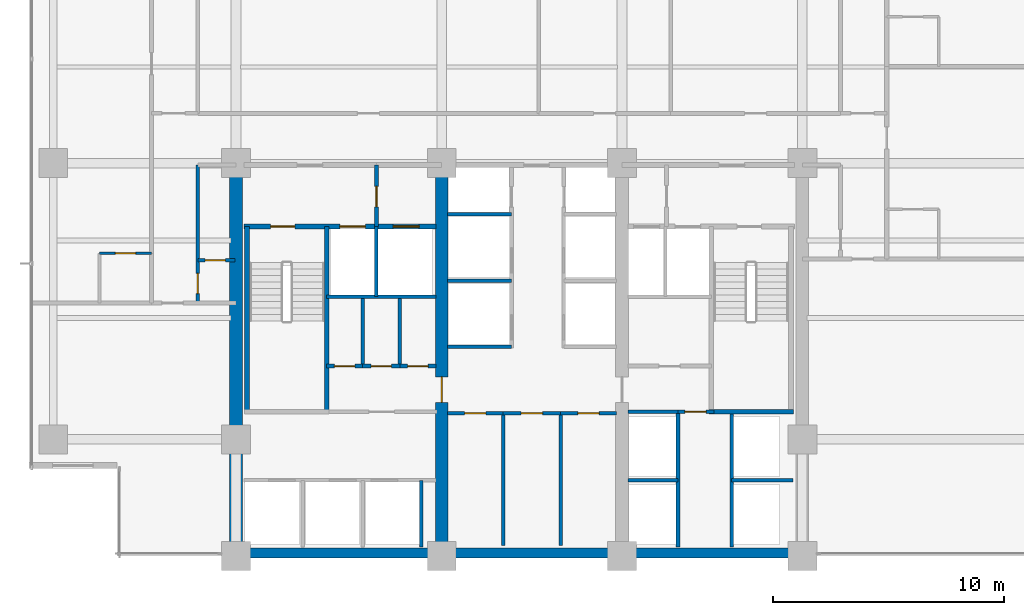
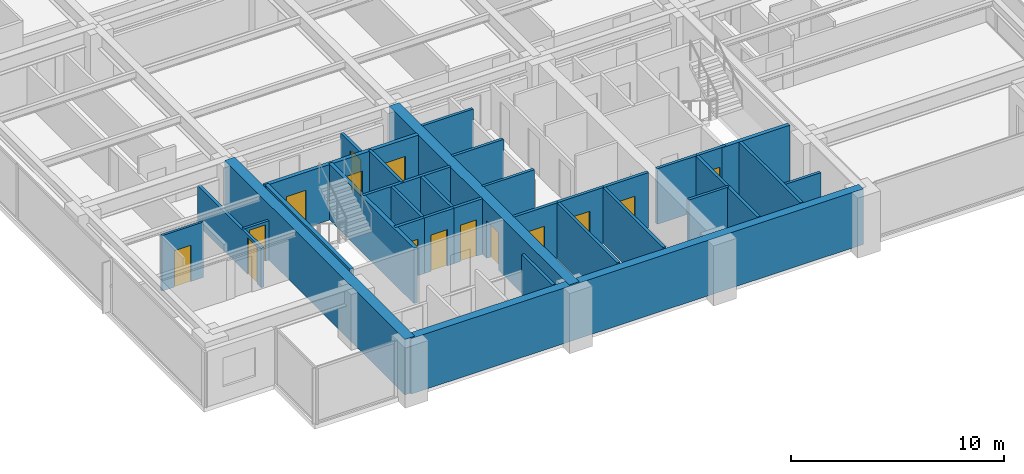
# One storey, part 8 of 16: 33 walls, 15 doors, 15 openings.
"""IFC4 building model written with IfcOpenShell, lengths in metres."""

from ifc_helpers import new_model, si_unit, direction, frame, frame_2d, origin, place, context, subcontext, project, spatial, rectangle, extrude, material, layer, layer_set, type_object, element, fill, save


model = new_model("IFC4")

# Units and contexts
model_context = context("Model", 3, precision=1e-05, world=origin(), true_north=direction((0.0, 1.0)))
body_context = subcontext(model_context, "Body", "Model", "MODEL_VIEW")
ifc_project = project(units=[si_unit("LENGTHUNIT", "METRE"), si_unit("AREAUNIT", "SQUARE_METRE"), si_unit("VOLUMEUNIT", "CUBIC_METRE"), si_unit("PLANEANGLEUNIT", "RADIAN"), si_unit("MASSUNIT", "GRAM", prefix="KILO")], contexts=[model_context])

# Site, building, storey
site_placement = place(None, origin())
site = spatial("IfcSite", under=ifc_project, at=site_placement, CompositionType="ELEMENT")
building_placement = place(site_placement, origin())
building = spatial("IfcBuilding", under=site, at=building_placement, Name="Qalmaran Belvedere Hotel", CompositionType="ELEMENT")
storey_placement = place(building_placement, frame((0.0, 0.0, 126.699951171875)))
storey = spatial("IfcBuildingStorey", under=building, at=storey_placement, Name="L32", CompositionType="ELEMENT", Elevation=126.699951171875)

# Wall
ifc_material_1 = material(Name="Concrete C60/75", Category="concrete")
ifc_layer_1 = layer(ifc_material_1, 0.550048828125, Name="Concrete C60/75")
ifc_layer_set_1 = layer_set([ifc_layer_1], Name="Concrete C60/75")
wall_type_1 = type_object("IfcWallType", Name="WL-CORE-550-C60", PredefinedType="SHEAR", material=ifc_layer_set_1)
wall_1_placement = place(storey_placement, frame((20.300048828125, 3.5, 0.0), z_axis=(0.0, 0.0, 1.0), x_axis=(0.0, 1.0, 0.0)))
element("IfcWall", 1, at=wall_1_placement, inside=storey, type_object=wall_type_1, Name="L32 West Core Shear Wall", PredefinedType="SHEAR", context=body_context, shape_type="SweptSolid", body=[
    extrude(rectangle(XDim=16.89990234375, YDim=0.550048828125, at=frame_2d((8.449951171875, 0.0))), origin(), (0.0, 0.0, 1.0), 3.179931640625),
])

# Wall, opening, door
wall_2_placement = place(storey_placement, frame((29.199951171875, 3.5, 0.0), z_axis=(0.0, 0.0, 1.0), x_axis=(0.0, 1.0, 0.0)))
wall_2 = element("IfcWall", 2, at=wall_2_placement, inside=storey, type_object=wall_type_1, Name="L32 Core West Spine Shear Wall", PredefinedType="SHEAR", context=body_context, shape_type="SweptSolid", body=[
    extrude(rectangle(XDim=16.89990234375, YDim=0.550048828125, at=frame_2d((8.449951171875, 0.0))), origin(), (0.0, 0.0, 1.0), 3.179931640625),
])
opening_1_placement = place(wall_2_placement, frame((7.75, 0.0, 0.0), z_axis=(0.0, 0.0, 1.0), x_axis=(-1.0, 0.0, 0.0)))
opening_1 = element("IfcOpeningElement", 3, at=opening_1_placement, cuts=wall_2, Name="Opening FD90", PredefinedType="OPENING", context=body_context, shape_type="SweptSolid", body=[
    extrude(rectangle(XDim=1.10009765625, YDim=2.14990234375, at=frame_2d((0.550048828125, 1.074951171875))), frame((0.0, 0.28515625, 0.0), z_axis=(0.0, -1.0, 0.0), x_axis=(1.0, 0.0, 0.0)), (0.0, 0.0, 1.0), 0.570068359375),
])
ifc_material_2 = material(Name="Steel S355JR", Category="steel")
door_type_1 = type_object("IfcDoorType", Name="DR-FD90-1100X2150", OperationType="NOTDEFINED", PredefinedType="DOOR", material=ifc_material_2)
door_1_placement = place(opening_1_placement, origin())
door_1 = element("IfcDoor", 4, at=door_1_placement, inside=storey, type_object=door_type_1, Name="L32 Core West Cross-Lobby Door", OperationType="SINGLE_SWING_LEFT", OverallHeight=2.14990234375, OverallWidth=1.10009765625, PredefinedType="DOOR", context=body_context, shape_type="SweptSolid", body=[
    extrude(rectangle(XDim=1.10009765625, YDim=2.14990234375, at=frame_2d((0.550048828125, 1.074951171875))), frame((0.0, 0.02490234375, 0.0), z_axis=(0.0, -1.0, 0.0), x_axis=(1.0, 0.0, 0.0)), (0.0, 0.0, 1.0), 0.050048828125),
])
fill(opening_1, door_1)

# Wall
ifc_material_3 = material(Name="Concrete C50/60", Category="concrete")
ifc_layer_2 = layer(ifc_material_3, 0.43994140625, Name="Concrete C50/60")
ifc_layer_set_2 = layer_set([ifc_layer_2], Name="Concrete C50/60")
wall_type_2 = type_object("IfcWallType", Name="WL-CORES-440-EXT", PredefinedType="SHEAR", material=ifc_layer_set_2)
wall_3_placement = place(storey_placement, frame((20.300048828125, 3.6298828125, 0.0), z_axis=(0.0, 0.0, 1.0), x_axis=(1.0, 0.0, 0.0)))
element("IfcWall", 5, at=wall_3_placement, inside=storey, type_object=wall_type_2, Name="L32 South Core Shear Wall", PredefinedType="SHEAR", context=body_context, shape_type="SweptSolid", body=[
    extrude(rectangle(XDim=24.5, YDim=0.43994140625, at=frame_2d((12.25, 0.0))), origin(), (0.0, 0.0, 1.0), 3.179931640625),
])

# Wall, opening, door
ifc_material_4 = material(Name="Moisture-Resistant Gypsum")
ifc_layer_3 = layer(ifc_material_4, 0.1201171875, Name="Moisture-Resistant Gypsum")
ifc_layer_set_3 = layer_set([ifc_layer_3], Name="Moisture-Resistant Gypsum")
wall_type_3 = type_object("IfcWallType", Name="WL-INT-120-BATH", PredefinedType="PARTITIONING", material=ifc_layer_set_3)
wall_4_placement = place(storey_placement, frame((14.39990234375, 16.60009765625, 0.0), z_axis=(0.0, 0.0, 1.0), x_axis=(1.0, 0.0, 0.0)))
wall_4 = element("IfcWall", 6, at=wall_4_placement, inside=storey, type_object=wall_type_3, Name="L32 Partition WL-L32-WBN00", PredefinedType="PARTITIONING", context=body_context, shape_type="SweptSolid", body=[
    extrude(rectangle(XDim=2.25, YDim=0.1201171875, at=frame_2d((1.125, 0.0))), origin(), (0.0, 0.0, 1.0), 3.179931640625),
])
opening_2_placement = place(wall_4_placement, frame((1.56494140625, 0.0, 0.0), z_axis=(0.0, 0.0, 1.0), x_axis=(-1.0, 0.0, 0.0)))
opening_2 = element("IfcOpeningElement", 7, at=opening_2_placement, cuts=wall_4, Name="Opening D-BATH", PredefinedType="OPENING", context=body_context, shape_type="SweptSolid", body=[
    extrude(rectangle(XDim=0.8798828125, YDim=2.080078125, at=frame_2d((0.43994140625, 1.0400390625))), frame((0.0, 0.070068359375, 0.0), z_axis=(0.0, -1.0, 0.0), x_axis=(1.0, 0.0, 0.0)), (0.0, 0.0, 1.0), 0.14013671875),
])
ifc_material_5 = material(Name="Engineered Oak Veneer")
door_type_2 = type_object("IfcDoorType", Name="DR-INT-BATH-880X2080", OperationType="NOTDEFINED", PredefinedType="DOOR", material=ifc_material_5)
door_2_placement = place(opening_2_placement, origin())
door_2 = element("IfcDoor", 8, at=door_2_placement, inside=storey, type_object=door_type_2, Name="L32 W Ensuite Door 01", OperationType="SINGLE_SWING_RIGHT", OverallHeight=2.080078125, OverallWidth=0.8798828125, PredefinedType="DOOR", context=body_context, shape_type="SweptSolid", body=[
    extrude(rectangle(XDim=0.8798828125, YDim=2.080078125, at=frame_2d((0.43994140625, 1.0400390625))), frame((0.0, 0.02490234375, 0.0), z_axis=(0.0, -1.0, 0.0), x_axis=(1.0, 0.0, 0.0)), (0.0, 0.0, 1.0), 0.050048828125),
])
fill(opening_2, door_2)

ifc_material_6 = material(Name="Gypsum Stud Partition")
ifc_layer_4 = layer(ifc_material_6, 0.139892578125, Name="Gypsum Stud Partition")
ifc_layer_set_4 = layer_set([ifc_layer_4], Name="Gypsum Stud Partition")
wall_type_4 = type_object("IfcWallType", Name="WL-INT-140-NR", PredefinedType="PARTITIONING", material=ifc_layer_set_4)
wall_5_placement = place(storey_placement, frame((18.64990234375, 16.300048828125, 0.0), z_axis=(0.0, 0.0, 1.0), x_axis=(1.0, 0.0, 0.0)))
wall_5 = element("IfcWall", 9, at=wall_5_placement, inside=storey, type_object=wall_type_4, Name="L32 Partition WL-L32-WCLSUB", PredefinedType="PARTITIONING", context=body_context, shape_type="SweptSolid", body=[
    extrude(rectangle(XDim=1.60009765625, YDim=0.139892578125, at=frame_2d((0.800048828125, 0.0))), origin(), (0.0, 0.0, 1.0), 2.2529296875),
])
opening_3_placement = place(wall_5_placement, frame((1.193115234375, 0.0, 0.0), z_axis=(0.0, 0.0, 1.0), x_axis=(-1.0, 0.0, 0.0)))
opening_3 = element("IfcOpeningElement", 10, at=opening_3_placement, cuts=wall_5, Name="Opening D-BATH", PredefinedType="OPENING", context=body_context, shape_type="SweptSolid", body=[
    extrude(rectangle(XDim=0.8798828125, YDim=2.080078125, at=frame_2d((0.43994140625, 1.0400390625))), frame((0.0, 0.080078125, 0.0), z_axis=(0.0, -1.0, 0.0), x_axis=(1.0, 0.0, 0.0)), (0.0, 0.0, 1.0), 0.159912109375),
])
door_3_placement = place(opening_3_placement, origin())
door_3 = element("IfcDoor", 11, at=door_3_placement, inside=storey, type_object=door_type_2, Name="L32 Closet Alcove Door", OperationType="SINGLE_SWING_LEFT", OverallHeight=2.080078125, OverallWidth=0.8798828125, PredefinedType="DOOR", context=body_context, shape_type="SweptSolid", body=[
    extrude(rectangle(XDim=0.8798828125, YDim=2.080078125, at=frame_2d((0.43994140625, 1.0400390625))), frame((0.0, 0.02490234375, 0.0), z_axis=(0.0, -1.0, 0.0), x_axis=(1.0, 0.0, 0.0)), (0.0, 0.0, 1.0), 0.050048828125),
])
fill(opening_3, door_3)

# Walls
ifc_layer_5 = layer(ifc_material_6, 0.14990234375, Name="Gypsum Stud Partition")
ifc_layer_set_5 = layer_set([ifc_layer_5], Name="Gypsum Stud Partition")
wall_type_5 = type_object("IfcWallType", Name="WL-INT-150-EI120", PredefinedType="PARTITIONING", material=ifc_layer_set_5)
wall_6_placement = place(storey_placement, frame((26.360107421875, 14.719970703125, 0.0), z_axis=(0.0, 0.0, 1.0), x_axis=(0.0, 1.0, 0.0)))
element("IfcWall", 12, at=wall_6_placement, inside=storey, type_object=wall_type_5, Name="L32 Partition WL-FF1M-L32", PredefinedType="PARTITIONING", context=body_context, shape_type="SweptSolid", body=[
    extrude(rectangle(XDim=3.0400390625, YDim=0.14990234375, at=frame_2d((1.52001953125, 0.0))), origin(), (0.0, 0.0, 1.0), 3.179931640625),
])
wall_7_placement = place(storey_placement, frame((28.320068359375, 3.89990234375, 0.0), z_axis=(0.0, 0.0, 1.0), x_axis=(0.0, 1.0, 0.0)))
element("IfcWall", 13, at=wall_7_placement, inside=storey, type_object=wall_type_5, Name="L32 Partition WL-POM3-L32", PredefinedType="PARTITIONING", context=body_context, shape_type="SweptSolid", body=[
    extrude(rectangle(XDim=2.880126953125, YDim=0.14990234375, at=frame_2d((1.43994140625, 0.0))), origin(), (0.0, 0.0, 1.0), 3.179931640625),
])
wall_8_placement = place(storey_placement, frame((37.25, 6.780029296875, 0.0), z_axis=(0.0, 0.0, 1.0), x_axis=(1.0, 0.0, 0.0)))
element("IfcWall", 14, at=wall_8_placement, inside=storey, type_object=wall_type_5, Name="L32 Partition WL-PHMW-L32", PredefinedType="PARTITIONING", context=body_context, shape_type="SweptSolid", body=[
    extrude(rectangle(XDim=2.169921875, YDim=0.14990234375, at=frame_2d((1.0849609375, 0.0))), origin(), (0.0, 0.0, 1.0), 3.179931640625),
])
wall_9_placement = place(storey_placement, frame((41.739990234375, 6.780029296875, 0.0), z_axis=(0.0, 0.0, 1.0), x_axis=(1.0, 0.0, 0.0)))
element("IfcWall", 15, at=wall_9_placement, inside=storey, type_object=wall_type_5, Name="L32 Partition WL-PHME-L32", PredefinedType="PARTITIONING", context=body_context, shape_type="SweptSolid", body=[
    extrude(rectangle(XDim=2.659912109375, YDim=0.14990234375, at=frame_2d((1.330078125, 0.0))), origin(), (0.0, 0.0, 1.0), 2.2529296875),
])
for number, where, z_axis, x_axis, name in (
    (16, (29.449951171875, 12.550048828125, 0.0), (0.0, 0.0, 1.0), (1.0, 0.0, 0.0), "L32 Partition WL-PMW-L32-125"),
    (17, (29.449951171875, 15.419921875, 0.0), (0.0, 0.0, 1.0), (1.0, 0.0, 0.0), "L32 Partition WL-PMW-L32-154"),
    (18, (29.449951171875, 18.280029296875, 0.0), (0.0, 0.0, 1.0), (1.0, 0.0, 0.0), "L32 Partition WL-PMW-L32-182"),
):
    element("IfcWall", number, at=place(storey_placement, frame(where, z_axis=z_axis, x_axis=x_axis)), inside=storey, type_object=wall_type_5, Name=name, PredefinedType="PARTITIONING", context=body_context, shape_type="SweptSolid", body=[
        extrude(rectangle(XDim=2.77001953125, YDim=0.14990234375, at=frame_2d((1.385009765625, 0.0))), origin(), (0.0, 0.0, 1.0), 3.179931640625),
    ])
ifc_layer_6 = layer(ifc_material_6, 0.14990234375, Name="Gypsum Stud Partition")
ifc_layer_set_6 = layer_set([ifc_layer_6], Name="Gypsum Stud Partition")
wall_type_6 = type_object("IfcWallType", Name="WL-INT-150-EI60", PredefinedType="PARTITIONING", material=ifc_layer_set_6)
for number, where, z_axis, x_axis, name in (
    (19, (25.781005859375, 11.719970703125, 0.0), (0.0, 0.0, 1.0), (0.0, 1.0, 0.0), "L32 Partition WL-L32-KWV1"),
    (20, (27.38916015625, 11.719970703125, 0.0), (0.0, 0.0, 1.0), (0.0, 1.0, 0.0), "L32 Partition WL-L32-KWV2"),
):
    element("IfcWall", number, at=place(storey_placement, frame(where, z_axis=z_axis, x_axis=x_axis)), inside=storey, type_object=wall_type_6, Name=name, PredefinedType="PARTITIONING", context=body_context, shape_type="SweptSolid", body=[
        extrude(rectangle(XDim=2.929931640625, YDim=0.14990234375, at=frame_2d((1.46484375, 0.0))), origin(), (0.0, 0.0, 1.0), 3.179931640625),
    ])
for number, where, z_axis, x_axis, name in (
    (21, (31.85888671875, 3.949951171875, 0.0), (0.0, 0.0, 1.0), (0.0, 1.0, 0.0), "L32 Partition WL-L32-KPLV1"),
    (22, (34.341064453125, 3.949951171875, 0.0), (0.0, 0.0, 1.0), (0.0, 1.0, 0.0), "L32 Partition WL-L32-KPLV2"),
):
    element("IfcWall", number, at=place(storey_placement, frame(where, z_axis=z_axis, x_axis=x_axis)), inside=storey, type_object=wall_type_6, Name=name, PredefinedType="PARTITIONING", context=body_context, shape_type="SweptSolid", body=[
        extrude(rectangle(XDim=5.72998046875, YDim=0.14990234375, at=frame_2d((2.864990234375, 0.0))), origin(), (0.0, 0.0, 1.0), 3.179931640625),
    ])

# Wall, opening, door
ifc_layer_7 = layer(ifc_material_6, 0.159912109375, Name="Gypsum Stud Partition")
ifc_layer_set_7 = layer_set([ifc_layer_7], Name="Gypsum Stud Partition")
wall_type_7 = type_object("IfcWallType", Name="WL-INT-160-EI120", PredefinedType="PARTITIONING", material=ifc_layer_set_7)
wall_10_placement = place(storey_placement, frame((26.3798828125, 17.760009765625, 0.0), z_axis=(0.0, 0.0, 1.0), x_axis=(0.0, 1.0, 0.0)))
wall_10 = element("IfcWall", 23, at=wall_10_placement, inside=storey, type_object=wall_type_7, Name="L32 Partition WL-FFSV1-L32", PredefinedType="PARTITIONING", context=body_context, shape_type="SweptSolid", body=[
    extrude(rectangle(XDim=2.659912109375, YDim=0.159912109375, at=frame_2d((1.330078125, 0.0))), origin(), (0.0, 0.0, 1.0), 2.553955078125),
])
opening_4_placement = place(wall_10_placement, frame((0.85009765625, 0.0, 0.0)))
opening_4 = element("IfcOpeningElement", 24, at=opening_4_placement, cuts=wall_10, Name="Opening FD60B", PredefinedType="OPENING", context=body_context, shape_type="SweptSolid", body=[
    extrude(rectangle(XDim=0.8798828125, YDim=2.080078125, at=frame_2d((0.43994140625, 1.0400390625))), frame((0.0, 0.08984375, 0.0), z_axis=(0.0, -1.0, 0.0), x_axis=(1.0, 0.0, 0.0)), (0.0, 0.0, 1.0), 0.179931640625),
])
door_type_3 = type_object("IfcDoorType", Name="DR-FD60B-880X2080", OperationType="NOTDEFINED", PredefinedType="DOOR", material=ifc_material_2)
door_4_placement = place(opening_4_placement, origin())
door_4 = element("IfcDoor", 25, at=door_4_placement, inside=storey, type_object=door_type_3, Name="L32 Service Lobby West Door", OperationType="SINGLE_SWING_LEFT", OverallHeight=2.080078125, OverallWidth=0.8798828125, PredefinedType="DOOR", context=body_context, shape_type="SweptSolid", body=[
    extrude(rectangle(XDim=0.8798828125, YDim=2.080078125, at=frame_2d((0.43994140625, 1.0400390625))), frame((0.0, 0.02490234375, 0.0), z_axis=(0.0, -1.0, 0.0), x_axis=(1.0, 0.0, 0.0)), (0.0, 0.0, 1.0), 0.050048828125),
])
fill(opening_4, door_4)

# Walls
wall_11_placement = place(storey_placement, frame((24.219970703125, 14.719970703125, 0.0), z_axis=(0.0, 0.0, 1.0), x_axis=(1.0, 0.0, 0.0)))
element("IfcWall", 26, at=wall_11_placement, inside=storey, type_object=wall_type_7, Name="L32 Partition WL-FF1S-L32", PredefinedType="PARTITIONING", context=body_context, shape_type="SweptSolid", body=[
    extrude(rectangle(XDim=4.72998046875, YDim=0.159912109375, at=frame_2d((2.364990234375, 0.0))), origin(), (0.0, 0.0, 1.0), 3.179931640625),
])
for number, where, z_axis, x_axis, name in (
    (27, (39.419921875, 3.89990234375, 0.0), (0.0, 0.0, 1.0), (0.0, 1.0, 0.0), "L32 Partition WL-PHW-L32"),
    (28, (41.739990234375, 3.89990234375, 0.0), (0.0, 0.0, 1.0), (0.0, 1.0, 0.0), "L32 Partition WL-PHE-L32"),
):
    element("IfcWall", number, at=place(storey_placement, frame(where, z_axis=z_axis, x_axis=x_axis)), inside=storey, type_object=wall_type_7, Name=name, PredefinedType="PARTITIONING", context=body_context, shape_type="SweptSolid", body=[
        extrude(rectangle(XDim=5.840087890625, YDim=0.159912109375, at=frame_2d((2.919921875, 0.0))), origin(), (0.0, 0.0, 1.0), 3.179931640625),
    ])
wall_12_placement = place(storey_placement, frame((37.25, 9.739990234375, 0.0), z_axis=(0.0, 0.0, 1.0), x_axis=(1.0, 0.0, 0.0)))
element("IfcWall", 29, at=wall_12_placement, inside=storey, type_object=wall_type_7, Name="L32 Partition WL-PHNW-L32", PredefinedType="PARTITIONING", context=body_context, shape_type="SweptSolid", body=[
    extrude(rectangle(XDim=2.169921875, YDim=0.159912109375, at=frame_2d((1.0849609375, 0.0))), origin(), (0.0, 0.0, 1.0), 3.179931640625),
])

# Wall, opening, door
wall_13_placement = place(storey_placement, frame((39.419921875, 9.739990234375, 0.0), z_axis=(0.0, 0.0, 1.0), x_axis=(1.0, 0.0, 0.0)))
wall_13 = element("IfcWall", 30, at=wall_13_placement, inside=storey, type_object=wall_type_7, Name="L32 Partition WL-PHNL-L32", PredefinedType="PARTITIONING", context=body_context, shape_type="SweptSolid", body=[
    extrude(rectangle(XDim=1.56005859375, YDim=0.159912109375, at=frame_2d((0.780029296875, 0.0))), origin(), (0.0, 0.0, 1.0), 3.179931640625),
])
opening_5_placement = place(wall_13_placement, frame((0.300048828125, 0.0, 0.0)))
opening_5 = element("IfcOpeningElement", 31, at=opening_5_placement, cuts=wall_13, Name="Opening FD60S1", PredefinedType="OPENING", context=body_context, shape_type="SweptSolid", body=[
    extrude(rectangle(XDim=0.919921875, YDim=2.080078125, at=frame_2d((0.4599609375, 1.0400390625))), frame((0.0, 0.08984375, 0.0), z_axis=(0.0, -1.0, 0.0), x_axis=(1.0, 0.0, 0.0)), (0.0, 0.0, 1.0), 0.179931640625),
])
door_type_4 = type_object("IfcDoorType", Name="DR-FD60S-920X2080", OperationType="NOTDEFINED", PredefinedType="DOOR", material=ifc_material_5)
door_5_placement = place(opening_5_placement, origin())
door_5 = element("IfcDoor", 32, at=door_5_placement, inside=storey, type_object=door_type_4, Name="L32 High-Rise Lift Lobby Passage Door", OperationType="SINGLE_SWING_LEFT", OverallHeight=2.080078125, OverallWidth=0.919921875, PredefinedType="DOOR", context=body_context, shape_type="SweptSolid", body=[
    extrude(rectangle(XDim=0.919921875, YDim=2.080078125, at=frame_2d((0.4599609375, 1.0400390625))), frame((0.0, 0.02490234375, 0.0), z_axis=(0.0, -1.0, 0.0), x_axis=(1.0, 0.0, 0.0)), (0.0, 0.0, 1.0), 0.050048828125),
])
fill(opening_5, door_5)

ifc_layer_8 = layer(ifc_material_6, 0.159912109375, Name="Gypsum Stud Partition")
ifc_layer_set_8 = layer_set([ifc_layer_8], Name="Gypsum Stud Partition")
wall_type_8 = type_object("IfcWallType", Name="WL-INT-160-EI60", PredefinedType="PARTITIONING", material=ifc_layer_set_8)
wall_14_placement = place(storey_placement, frame((24.219970703125, 11.719970703125, 0.0), z_axis=(0.0, 0.0, 1.0), x_axis=(1.0, 0.0, 0.0)))
wall_14 = element("IfcWall", 33, at=wall_14_placement, inside=storey, type_object=wall_type_8, Name="L32 Partition WL-L32-KWE1", PredefinedType="PARTITIONING", context=body_context, shape_type="SweptSolid", body=[
    extrude(rectangle(XDim=1.56103515625, YDim=0.159912109375, at=frame_2d((0.780517578125, 0.0))), origin(), (0.0, 0.0, 1.0), 3.179931640625),
])
opening_6_placement = place(wall_14_placement, frame((0.340576171875, 0.0, 0.0)))
opening_6 = element("IfcOpeningElement", 34, at=opening_6_placement, cuts=wall_14, Name="Opening FD60B", PredefinedType="OPENING", context=body_context, shape_type="SweptSolid", body=[
    extrude(rectangle(XDim=0.8798828125, YDim=2.080078125, at=frame_2d((0.43994140625, 1.0400390625))), frame((0.0, 0.08984375, 0.0), z_axis=(0.0, -1.0, 0.0), x_axis=(1.0, 0.0, 0.0)), (0.0, 0.0, 1.0), 0.179931640625),
])
door_6_placement = place(opening_6_placement, origin())
door_6 = element("IfcDoor", 35, at=door_6_placement, inside=storey, type_object=door_type_3, Name="L32 Staff Core WC Door", OperationType="SINGLE_SWING_RIGHT", OverallHeight=2.080078125, OverallWidth=0.8798828125, PredefinedType="DOOR", context=body_context, shape_type="SweptSolid", body=[
    extrude(rectangle(XDim=0.8798828125, YDim=2.080078125, at=frame_2d((0.43994140625, 1.0400390625))), frame((0.0, 0.02490234375, 0.0), z_axis=(0.0, -1.0, 0.0), x_axis=(1.0, 0.0, 0.0)), (0.0, 0.0, 1.0), 0.050048828125),
])
fill(opening_6, door_6)

wall_15_placement = place(storey_placement, frame((25.781005859375, 11.719970703125, 0.0), z_axis=(0.0, 0.0, 1.0), x_axis=(1.0, 0.0, 0.0)))
wall_15 = element("IfcWall", 36, at=wall_15_placement, inside=storey, type_object=wall_type_8, Name="L32 Partition WL-L32-KWE2", PredefinedType="PARTITIONING", context=body_context, shape_type="SweptSolid", body=[
    extrude(rectangle(XDim=1.608154296875, YDim=0.159912109375, at=frame_2d((0.80419921875, 0.0))), origin(), (0.0, 0.0, 1.0), 3.179931640625),
])
opening_7_placement = place(wall_15_placement, frame((0.364013671875, 0.0, 0.0)))
opening_7 = element("IfcOpeningElement", 37, at=opening_7_placement, cuts=wall_15, Name="Opening FD60B", PredefinedType="OPENING", context=body_context, shape_type="SweptSolid", body=[
    extrude(rectangle(XDim=0.8798828125, YDim=2.080078125, at=frame_2d((0.43994140625, 1.0400390625))), frame((0.0, 0.08984375, 0.0), z_axis=(0.0, -1.0, 0.0), x_axis=(1.0, 0.0, 0.0)), (0.0, 0.0, 1.0), 0.179931640625),
])
door_7_placement = place(opening_7_placement, origin())
door_7 = element("IfcDoor", 38, at=door_7_placement, inside=storey, type_object=door_type_3, Name="L32 Electrical Distribution Room Door", OperationType="SINGLE_SWING_LEFT", OverallHeight=2.080078125, OverallWidth=0.8798828125, PredefinedType="DOOR", context=body_context, shape_type="SweptSolid", body=[
    extrude(rectangle(XDim=0.8798828125, YDim=2.080078125, at=frame_2d((0.43994140625, 1.0400390625))), frame((0.0, 0.02490234375, 0.0), z_axis=(0.0, -1.0, 0.0), x_axis=(1.0, 0.0, 0.0)), (0.0, 0.0, 1.0), 0.050048828125),
])
fill(opening_7, door_7)

wall_16_placement = place(storey_placement, frame((27.38916015625, 11.719970703125, 0.0), z_axis=(0.0, 0.0, 1.0), x_axis=(1.0, 0.0, 0.0)))
wall_16 = element("IfcWall", 39, at=wall_16_placement, inside=storey, type_object=wall_type_8, Name="L32 Partition WL-L32-KWE3", PredefinedType="PARTITIONING", context=body_context, shape_type="SweptSolid", body=[
    extrude(rectangle(XDim=1.560791015625, YDim=0.159912109375, at=frame_2d((0.7802734375, 0.0))), origin(), (0.0, 0.0, 1.0), 3.179931640625),
])
opening_8_placement = place(wall_16_placement, frame((0.340576171875, 0.0, 0.0)))
opening_8 = element("IfcOpeningElement", 40, at=opening_8_placement, cuts=wall_16, Name="Opening FD60B", PredefinedType="OPENING", context=body_context, shape_type="SweptSolid", body=[
    extrude(rectangle(XDim=0.8798828125, YDim=2.080078125, at=frame_2d((0.43994140625, 1.0400390625))), frame((0.0, 0.08984375, 0.0), z_axis=(0.0, -1.0, 0.0), x_axis=(1.0, 0.0, 0.0)), (0.0, 0.0, 1.0), 0.179931640625),
])
door_8_placement = place(opening_8_placement, origin())
door_8 = element("IfcDoor", 41, at=door_8_placement, inside=storey, type_object=door_type_3, Name="L32 Telecom and IT Room Door", OperationType="SINGLE_SWING_RIGHT", OverallHeight=2.080078125, OverallWidth=0.8798828125, PredefinedType="DOOR", context=body_context, shape_type="SweptSolid", body=[
    extrude(rectangle(XDim=0.8798828125, YDim=2.080078125, at=frame_2d((0.43994140625, 1.0400390625))), frame((0.0, 0.02490234375, 0.0), z_axis=(0.0, -1.0, 0.0), x_axis=(1.0, 0.0, 0.0)), (0.0, 0.0, 1.0), 0.050048828125),
])
fill(opening_8, door_8)

wall_17_placement = place(storey_placement, frame((29.449951171875, 9.679931640625, 0.0), z_axis=(0.0, 0.0, 1.0), x_axis=(1.0, 0.0, 0.0)))
wall_17 = element("IfcWall", 42, at=wall_17_placement, inside=storey, type_object=wall_type_8, Name="L32 Partition WL-L32-KPLE1", PredefinedType="PARTITIONING", context=body_context, shape_type="SweptSolid", body=[
    extrude(rectangle(XDim=2.408935546875, YDim=0.159912109375, at=frame_2d((1.20458984375, 0.0))), origin(), (0.0, 0.0, 1.0), 3.179931640625),
])
opening_9_placement = place(wall_17_placement, frame((1.664306640625, 0.0, 0.0), z_axis=(0.0, 0.0, 1.0), x_axis=(-1.0, 0.0, 0.0)))
opening_9 = element("IfcOpeningElement", 43, at=opening_9_placement, cuts=wall_17, Name="Opening FD60S1", PredefinedType="OPENING", context=body_context, shape_type="SweptSolid", body=[
    extrude(rectangle(XDim=0.919921875, YDim=2.080078125, at=frame_2d((0.4599609375, 1.0400390625))), frame((0.0, 0.08984375, 0.0), z_axis=(0.0, -1.0, 0.0), x_axis=(1.0, 0.0, 0.0)), (0.0, 0.0, 1.0), 0.179931640625),
])
door_9_placement = place(opening_9_placement, origin())
door_9 = element("IfcDoor", 44, at=door_9_placement, inside=storey, type_object=door_type_4, Name="L32 Housekeeping and Linen Room Door", OperationType="SINGLE_SWING_RIGHT", OverallHeight=2.080078125, OverallWidth=0.919921875, PredefinedType="DOOR", context=body_context, shape_type="SweptSolid", body=[
    extrude(rectangle(XDim=0.919921875, YDim=2.080078125, at=frame_2d((0.4599609375, 1.0400390625))), frame((0.0, 0.02490234375, 0.0), z_axis=(0.0, -1.0, 0.0), x_axis=(1.0, 0.0, 0.0)), (0.0, 0.0, 1.0), 0.050048828125),
])
fill(opening_9, door_9)

wall_18_placement = place(storey_placement, frame((31.85888671875, 9.679931640625, 0.0), z_axis=(0.0, 0.0, 1.0), x_axis=(1.0, 0.0, 0.0)))
wall_18 = element("IfcWall", 45, at=wall_18_placement, inside=storey, type_object=wall_type_8, Name="L32 Partition WL-L32-KPLE2", PredefinedType="PARTITIONING", context=body_context, shape_type="SweptSolid", body=[
    extrude(rectangle(XDim=2.482177734375, YDim=0.159912109375, at=frame_2d((1.2412109375, 0.0))), origin(), (0.0, 0.0, 1.0), 3.179931640625),
])
opening_10_placement = place(wall_18_placement, frame((1.700927734375, 0.0, 0.0), z_axis=(0.0, 0.0, 1.0), x_axis=(-1.0, 0.0, 0.0)))
opening_10 = element("IfcOpeningElement", 46, at=opening_10_placement, cuts=wall_18, Name="Opening FD60S1", PredefinedType="OPENING", context=body_context, shape_type="SweptSolid", body=[
    extrude(rectangle(XDim=0.919921875, YDim=2.080078125, at=frame_2d((0.4599609375, 1.0400390625))), frame((0.0, 0.08984375, 0.0), z_axis=(0.0, -1.0, 0.0), x_axis=(1.0, 0.0, 0.0)), (0.0, 0.0, 1.0), 0.179931640625),
])
door_10_placement = place(opening_10_placement, origin())
door_10 = element("IfcDoor", 47, at=door_10_placement, inside=storey, type_object=door_type_4, Name="L32 Hotel Butler Service Pantry Door", OperationType="SINGLE_SWING_LEFT", OverallHeight=2.080078125, OverallWidth=0.919921875, PredefinedType="DOOR", context=body_context, shape_type="SweptSolid", body=[
    extrude(rectangle(XDim=0.919921875, YDim=2.080078125, at=frame_2d((0.4599609375, 1.0400390625))), frame((0.0, 0.02490234375, 0.0), z_axis=(0.0, -1.0, 0.0), x_axis=(1.0, 0.0, 0.0)), (0.0, 0.0, 1.0), 0.050048828125),
])
fill(opening_10, door_10)

wall_19_placement = place(storey_placement, frame((34.341064453125, 9.679931640625, 0.0), z_axis=(0.0, 0.0, 1.0), x_axis=(1.0, 0.0, 0.0)))
wall_19 = element("IfcWall", 48, at=wall_19_placement, inside=storey, type_object=wall_type_8, Name="L32 Partition WL-L32-KPLE3", PredefinedType="PARTITIONING", context=body_context, shape_type="SweptSolid", body=[
    extrude(rectangle(XDim=2.408935546875, YDim=0.159912109375, at=frame_2d((1.20458984375, 0.0))), origin(), (0.0, 0.0, 1.0), 3.179931640625),
])
opening_11_placement = place(wall_19_placement, frame((1.664306640625, 0.0, 0.0), z_axis=(0.0, 0.0, 1.0), x_axis=(-1.0, 0.0, 0.0)))
opening_11 = element("IfcOpeningElement", 49, at=opening_11_placement, cuts=wall_19, Name="Opening FD60S1", PredefinedType="OPENING", context=body_context, shape_type="SweptSolid", body=[
    extrude(rectangle(XDim=0.919921875, YDim=2.080078125, at=frame_2d((0.4599609375, 1.0400390625))), frame((0.0, 0.08984375, 0.0), z_axis=(0.0, -1.0, 0.0), x_axis=(1.0, 0.0, 0.0)), (0.0, 0.0, 1.0), 0.179931640625),
])
door_11_placement = place(opening_11_placement, origin())
door_11 = element("IfcDoor", 50, at=door_11_placement, inside=storey, type_object=door_type_4, Name="L32 Guest Valet Supply Store Door", OperationType="SINGLE_SWING_RIGHT", OverallHeight=2.080078125, OverallWidth=0.919921875, PredefinedType="DOOR", context=body_context, shape_type="SweptSolid", body=[
    extrude(rectangle(XDim=0.919921875, YDim=2.080078125, at=frame_2d((0.4599609375, 1.0400390625))), frame((0.0, 0.02490234375, 0.0), z_axis=(0.0, -1.0, 0.0), x_axis=(1.0, 0.0, 0.0)), (0.0, 0.0, 1.0), 0.050048828125),
])
fill(opening_11, door_11)

wall_20_placement = place(storey_placement, frame((18.64990234375, 14.449951171875, 0.0), z_axis=(0.0, 0.0, 1.0), x_axis=(0.0, 1.0, 0.0)))
wall_20 = element("IfcWall", 51, at=wall_20_placement, inside=storey, type_object=wall_type_8, Name="L32 Partition WL-L32-WCL", PredefinedType="PARTITIONING", context=body_context, shape_type="SweptSolid", body=[
    extrude(rectangle(XDim=5.969970703125, YDim=0.159912109375, at=frame_2d((2.98486328125, 0.0))), origin(), (0.0, 0.0, 1.0), 2.2529296875),
])
opening_12_placement = place(wall_20_placement, frame((1.27978515625, 0.0, 0.0), z_axis=(0.0, 0.0, 1.0), x_axis=(-1.0, 0.0, 0.0)))
opening_12 = element("IfcOpeningElement", 52, at=opening_12_placement, cuts=wall_20, Name="Opening FD60B", PredefinedType="OPENING", context=body_context, shape_type="SweptSolid", body=[
    extrude(rectangle(XDim=0.8798828125, YDim=2.080078125, at=frame_2d((0.43994140625, 1.0400390625))), frame((0.0, 0.08984375, 0.0), z_axis=(0.0, -1.0, 0.0), x_axis=(1.0, 0.0, 0.0)), (0.0, 0.0, 1.0), 0.179931640625),
])
door_12_placement = place(opening_12_placement, origin())
door_12 = element("IfcDoor", 53, at=door_12_placement, inside=storey, type_object=door_type_3, Name="L32 West Closet Door", OperationType="SINGLE_SWING_LEFT", OverallHeight=2.080078125, OverallWidth=0.8798828125, PredefinedType="DOOR", context=body_context, shape_type="SweptSolid", body=[
    extrude(rectangle(XDim=0.8798828125, YDim=2.080078125, at=frame_2d((0.43994140625, 1.0400390625))), frame((0.0, 0.02490234375, 0.0), z_axis=(0.0, -1.0, 0.0), x_axis=(1.0, 0.0, 0.0)), (0.0, 0.0, 1.0), 0.050048828125),
])
fill(opening_12, door_12)

# Walls
ifc_layer_9 = layer(ifc_material_3, 0.2099609375, Name="Concrete C50/60")
ifc_layer_set_9 = layer_set([ifc_layer_9], Name="Concrete C50/60")
wall_type_9 = type_object("IfcWallType", Name="WL-STAIR-210-C50", PredefinedType="SHEAR", material=ifc_layer_set_9)
for number, where, z_axis, x_axis, name in (
    (54, (20.77490234375, 9.7451171875, 0.0), (0.0, 0.0, 1.0), (0.0, 1.0, 0.0), "L32 Stair ST-1 West Bearing Wall"),
    (55, (24.22509765625, 9.7451171875, 0.0), (0.0, 0.0, 1.0), (0.0, 1.0, 0.0), "L32 Stair ST-1 East Bearing Wall"),
):
    element("IfcWall", number, at=place(storey_placement, frame(where, z_axis=z_axis, x_axis=x_axis)), inside=storey, type_object=wall_type_9, Name=name, PredefinedType="SHEAR", context=body_context, shape_type="SweptSolid", body=[
        extrude(rectangle(XDim=8.009765625, YDim=0.2099609375, at=frame_2d((4.0048828125, 0.0))), origin(), (0.0, 0.0, 1.0), 3.179931640625),
    ])

# Wall, openings, doors
wall_21_placement = place(storey_placement, frame((20.64990234375, 17.7548828125, 0.0), z_axis=(0.0, 0.0, 1.0), x_axis=(1.0, 0.0, 0.0)))
wall_21 = element("IfcWall", 56, at=wall_21_placement, inside=storey, type_object=wall_type_9, Name="L32 West Lobby and Stair ST-1 North Bearing Wall", PredefinedType="SHEAR", context=body_context, shape_type="SweptSolid", body=[
    extrude(rectangle(XDim=8.300048828125, YDim=0.2099609375, at=frame_2d((4.14990234375, 0.0))), origin(), (0.0, 0.0, 1.0), 3.179931640625),
])
opening_13_placement = place(wall_21_placement, frame((2.199951171875, 0.0, 0.0), z_axis=(0.0, 0.0, 1.0), x_axis=(-1.0, 0.0, 0.0)))
opening_13 = element("IfcOpeningElement", 57, at=opening_13_placement, cuts=wall_21, Name="Opening FD90S2", PredefinedType="OPENING", context=body_context, shape_type="SweptSolid", body=[
    extrude(rectangle(XDim=1.050048828125, YDim=2.14990234375, at=frame_2d((0.52490234375, 1.074951171875))), frame((0.0, 0.114990234375, 0.0), z_axis=(0.0, -1.0, 0.0), x_axis=(1.0, 0.0, 0.0)), (0.0, 0.0, 1.0), 0.22998046875),
])
opening_14_placement = place(wall_21_placement, frame((4.14990234375, 0.0, 0.0)))
opening_14 = element("IfcOpeningElement", 58, at=opening_14_placement, cuts=wall_21, Name="Opening LD-FF", PredefinedType="OPENING", context=body_context, shape_type="SweptSolid", body=[
    extrude(rectangle(XDim=1.10009765625, YDim=2.179931640625, at=frame_2d((0.550048828125, 1.08984375))), frame((0.0, 0.114990234375, 0.0), z_axis=(0.0, -1.0, 0.0), x_axis=(1.0, 0.0, 0.0)), (0.0, 0.0, 1.0), 0.22998046875),
])
opening_15_placement = place(wall_21_placement, frame((6.449951171875, 0.0, 0.0)))
opening_15 = element("IfcOpeningElement", 59, at=opening_15_placement, cuts=wall_21, Name="Opening LD-SV", PredefinedType="OPENING", context=body_context, shape_type="SweptSolid", body=[
    extrude(rectangle(XDim=1.1201171875, YDim=2.199951171875, at=frame_2d((0.56005859375, 1.10009765625))), frame((0.0, 0.114990234375, 0.0), z_axis=(0.0, -1.0, 0.0), x_axis=(1.0, 0.0, 0.0)), (0.0, 0.0, 1.0), 0.22998046875),
])
door_type_5 = type_object("IfcDoorType", Name="DR-FD90S-1050X2150", OperationType="NOTDEFINED", PredefinedType="DOOR", material=ifc_material_2)
door_13_placement = place(opening_13_placement, origin())
door_13 = element("IfcDoor", 60, at=door_13_placement, inside=storey, type_object=door_type_5, Name="L32 Stair ST-1 Door", OperationType="SINGLE_SWING_LEFT", OverallHeight=2.14990234375, OverallWidth=1.050048828125, PredefinedType="DOOR", context=body_context, shape_type="SweptSolid", body=[
    extrude(rectangle(XDim=1.050048828125, YDim=2.14990234375, at=frame_2d((0.52490234375, 1.074951171875))), frame((0.0, 0.02490234375, 0.0), z_axis=(0.0, -1.0, 0.0), x_axis=(1.0, 0.0, 0.0)), (0.0, 0.0, 1.0), 0.050048828125),
])
fill(opening_13, door_13)
ifc_material_7 = material(Name="Stainless Steel 1.4401", Category="steel")
door_type_6 = type_object("IfcDoorType", Name="DR-LIFT-FF-1100X2180", OperationType="DOUBLE_DOOR_SLIDING", PredefinedType="DOOR", material=ifc_material_7)
door_14_placement = place(opening_14_placement, origin())
door_14 = element("IfcDoor", 61, at=door_14_placement, inside=storey, type_object=door_type_6, Name="L32 FF1 Lift Landing Door", OperationType="DOUBLE_DOOR_SLIDING", OverallHeight=2.179931640625, OverallWidth=1.10009765625, PredefinedType="DOOR", context=body_context, shape_type="SweptSolid", body=[
    extrude(rectangle(XDim=1.10009765625, YDim=2.179931640625, at=frame_2d((0.550048828125, 1.08984375))), frame((0.0, 0.02490234375, 0.0), z_axis=(0.0, -1.0, 0.0), x_axis=(1.0, 0.0, 0.0)), (0.0, 0.0, 1.0), 0.050048828125),
])
fill(opening_14, door_14)
door_type_7 = type_object("IfcDoorType", Name="DR-LIFT-SV-1120X2200", OperationType="DOUBLE_DOOR_SLIDING", PredefinedType="DOOR", material=ifc_material_7)
door_15_placement = place(opening_15_placement, origin())
door_15 = element("IfcDoor", 62, at=door_15_placement, inside=storey, type_object=door_type_7, Name="L32 SV1 Lift Landing Door", OperationType="DOUBLE_DOOR_SLIDING", OverallHeight=2.199951171875, OverallWidth=1.1201171875, PredefinedType="DOOR", context=body_context, shape_type="SweptSolid", body=[
    extrude(rectangle(XDim=1.1201171875, YDim=2.199951171875, at=frame_2d((0.56005859375, 1.10009765625))), frame((0.0, 0.02490234375, 0.0), z_axis=(0.0, -1.0, 0.0), x_axis=(1.0, 0.0, 0.0)), (0.0, 0.0, 1.0), 0.050048828125),
])
fill(opening_15, door_15)

# Wall
wall_22_placement = place(storey_placement, frame((40.75, 9.7451171875, 0.0), z_axis=(0.0, 0.0, 1.0), x_axis=(1.0, 0.0, 0.0)))
element("IfcWall", 63, at=wall_22_placement, inside=storey, type_object=wall_type_9, Name="L32 Stair ST-2 South Bearing Wall", PredefinedType="SHEAR", context=body_context, shape_type="SweptSolid", body=[
    extrude(rectangle(XDim=3.659912109375, YDim=0.2099609375, at=frame_2d((1.830078125, 0.0))), origin(), (0.0, 0.0, 1.0), 3.179931640625),
])

save(model, "model.ifc")
